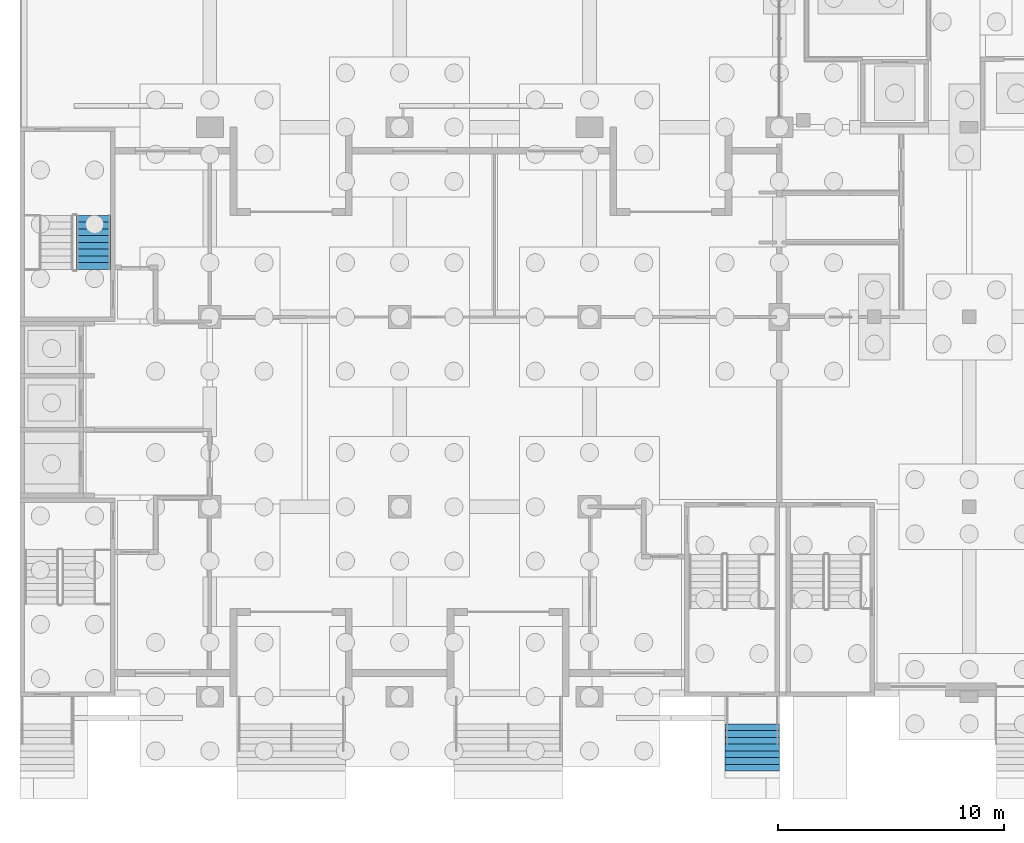
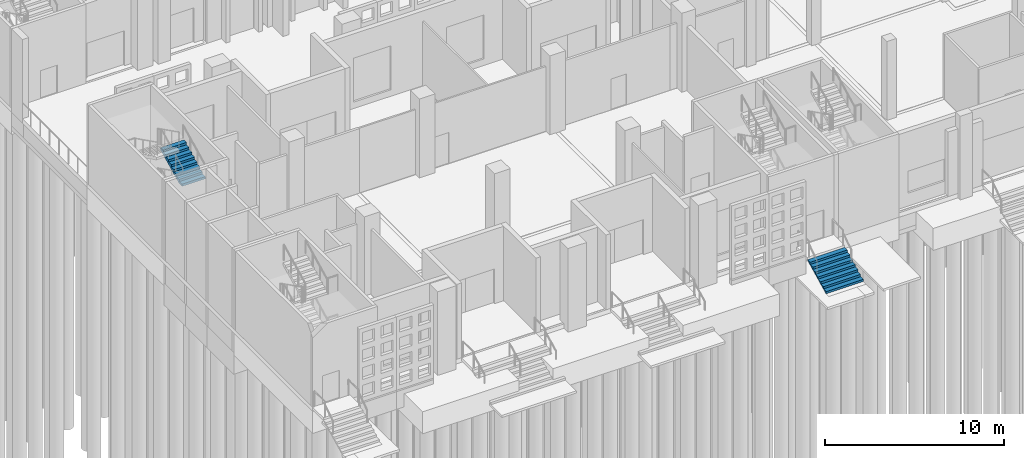
# One storey, part 66 of 129: 2 stair flights, 2 elements without a shape of their own.
"""IFC4 building model written with IfcOpenShell, lengths in metres."""

from ifc_helpers import new_model, si_unit, direction, frame, origin, place, context, subcontext, project, spatial, faceted_brep, material, type_object, element, aggregate, save


model = new_model("IFC4")

# Units and contexts
model_context = context("Model", 3, precision=1e-05, world=origin(), true_north=direction((0.0, 1.0)))
body_context = subcontext(model_context, "Body", "Model", "MODEL_VIEW")
ifc_project = project(units=[si_unit("LENGTHUNIT", "METRE"), si_unit("AREAUNIT", "SQUARE_METRE"), si_unit("VOLUMEUNIT", "CUBIC_METRE"), si_unit("PLANEANGLEUNIT", "RADIAN"), si_unit("MASSUNIT", "GRAM", prefix="KILO")], contexts=[model_context])

# Site, building, storey
site_placement = place(None, origin())
site = spatial("IfcSite", under=ifc_project, at=site_placement, CompositionType="ELEMENT")
building_placement = place(site_placement, origin())
building = spatial("IfcBuilding", under=site, at=building_placement, Name="Kiln Court Media Centre", CompositionType="ELEMENT")
storey_placement = place(building_placement, origin())
storey = spatial("IfcBuildingStorey", under=building, at=storey_placement, Name="L00", CompositionType="ELEMENT", Elevation=0.0)

# Stair, stair flight
ifc_material_1 = material(Name="Concrete C30/37", Category="concrete")
stair_type_1 = type_object("IfcStairType", Name="Concrete C30/37 porch steps ST-03 street porch", PredefinedType="STRAIGHT_RUN_STAIR", material=ifc_material_1)
stair_1_placement = place(storey_placement, origin())
stair_1 = element("IfcStair", 1, at=stair_1_placement, inside=storey, type_object=stair_type_1, Name="Concrete C30/37 porch steps ST-03 street porch", PredefinedType="STRAIGHT_RUN_STAIR")
ifc_material_2 = material(Name="Concrete C30/37", Category="concrete")
stair_flight_type_1 = type_object("IfcStairFlightType", Name="Concrete C30/37 porch steps ST-03 street porch flight", PredefinedType="STRAIGHT", material=ifc_material_2)
stair_flight_1_placement = place(storey_placement, frame((32.39990234375, -3.300048828125, -1.199951171875), z_axis=(0.0, 0.0, 1.0), x_axis=(0.0, 1.0, 0.0)))
stair_flight_1 = element("IfcStairFlight", 2, at=stair_flight_1_placement, type_object=stair_flight_type_1, Name="ST-E4 flight 1", NumberOfRisers=8, NumberOfTreads=7, PredefinedType="STRAIGHT", RiserHeight=0.15, TreadLength=0.3, context=body_context, shape_type="Brep", body=[
    faceted_brep([(0.044677734375, -1.199951171875, 0.0), (2.10009765625, -1.199951171875, 1.027587890625), (2.10009765625, -1.199951171875, 1.050048828125), (1.800048828125, -1.199951171875, 1.050048828125), (1.800048828125, -1.199951171875, 0.89990234375), (1.5, -1.199951171875, 0.89990234375), (1.5, -1.199951171875, 0.75), (1.199951171875, -1.199951171875, 0.75), (1.199951171875, -1.199951171875, 0.60009765625), (0.89990234375, -1.199951171875, 0.60009765625), (0.89990234375, -1.199951171875, 0.449951171875), (0.60009765625, -1.199951171875, 0.449951171875), (0.60009765625, -1.199951171875, 0.300048828125), (0.300048828125, -1.199951171875, 0.300048828125), (0.300048828125, -1.199951171875, 0.14990234375), (0.0, -1.199951171875, 0.14990234375), (0.0, -1.199951171875, 0.0), (0.0, 1.199951171875, 0.0), (0.0, 1.199951171875, 0.14990234375), (0.300048828125, 1.199951171875, 0.14990234375), (0.300048828125, 1.199951171875, 0.300048828125), (0.60009765625, 1.199951171875, 0.300048828125), (0.60009765625, 1.199951171875, 0.449951171875), (0.89990234375, 1.199951171875, 0.449951171875), (0.89990234375, 1.199951171875, 0.60009765625), (1.199951171875, 1.199951171875, 0.60009765625), (1.199951171875, 1.199951171875, 0.75), (1.5, 1.199951171875, 0.75), (1.5, 1.199951171875, 0.89990234375), (1.800048828125, 1.199951171875, 0.89990234375), (1.800048828125, 1.199951171875, 1.050048828125), (2.10009765625, 1.199951171875, 1.050048828125), (2.10009765625, 1.199951171875, 1.027587890625), (0.044677734375, 1.199951171875, 0.0), (2.10009765625, 0.10009765625, 1.027587890625), (0.044677734375, 0.10009765625, 0.0), (2.10009765625, 0.080078125, 1.027587890625), (0.044677734375, 0.080078125, 0.0), (2.10009765625, 0.06005859375, 1.027587890625), (0.044677734375, 0.06005859375, 0.0), (2.10009765625, 0.0400390625, 1.027587890625), (0.044677734375, 0.0400390625, 0.0), (2.10009765625, 0.02001953125, 1.027587890625), (0.044677734375, 0.02001953125, 0.0), (2.10009765625, 0.0, 1.027587890625), (0.044677734375, 0.0, 0.0), (2.10009765625, -0.02001953125, 1.027587890625), (0.044677734375, -0.02001953125, 0.0), (2.10009765625, -0.0400390625, 1.027587890625), (0.044677734375, -0.0400390625, 0.0), (2.10009765625, -0.06005859375, 1.027587890625), (0.044677734375, -0.06005859375, 0.0), (2.10009765625, -0.080078125, 1.027587890625), (0.044677734375, -0.080078125, 0.0), (2.10009765625, -0.10009765625, 1.027587890625), (0.044677734375, -0.10009765625, 0.0), (2.10009765625, 0.10009765625, 1.050048828125), (2.10009765625, 0.080078125, 1.050048828125), (2.10009765625, 0.06005859375, 1.050048828125), (2.10009765625, 0.0400390625, 1.050048828125), (2.10009765625, 0.02001953125, 1.050048828125), (2.10009765625, 0.0, 1.050048828125), (2.10009765625, -0.02001953125, 1.050048828125), (2.10009765625, -0.0400390625, 1.050048828125), (2.10009765625, -0.06005859375, 1.050048828125), (2.10009765625, -0.080078125, 1.050048828125), (2.10009765625, -0.10009765625, 1.050048828125), (1.800048828125, 0.10009765625, 1.050048828125), (1.800048828125, 0.080078125, 1.050048828125), (1.800048828125, 0.06005859375, 1.050048828125), (1.800048828125, 0.0400390625, 1.050048828125), (1.800048828125, 0.02001953125, 1.050048828125), (1.800048828125, 0.0, 1.050048828125), (1.800048828125, -0.02001953125, 1.050048828125), (1.800048828125, -0.0400390625, 1.050048828125), (1.800048828125, -0.06005859375, 1.050048828125), (1.800048828125, -0.080078125, 1.050048828125), (1.800048828125, -0.10009765625, 1.050048828125), (1.800048828125, 0.10009765625, 0.89990234375), (1.800048828125, 0.080078125, 0.89990234375), (1.800048828125, 0.06005859375, 0.89990234375), (1.800048828125, 0.0400390625, 0.89990234375), (1.800048828125, 0.02001953125, 0.89990234375), (1.800048828125, 0.0, 0.89990234375), (1.800048828125, -0.02001953125, 0.89990234375), (1.800048828125, -0.0400390625, 0.89990234375), (1.800048828125, -0.06005859375, 0.89990234375), (1.800048828125, -0.080078125, 0.89990234375), (1.800048828125, -0.10009765625, 0.89990234375), (1.5, 0.10009765625, 0.89990234375), (1.5, 0.080078125, 0.89990234375), (1.5, 0.06005859375, 0.89990234375), (1.5, 0.0400390625, 0.89990234375), (1.5, 0.02001953125, 0.89990234375), (1.5, 0.0, 0.89990234375), (1.5, -0.02001953125, 0.89990234375), (1.5, -0.0400390625, 0.89990234375), (1.5, -0.06005859375, 0.89990234375), (1.5, -0.080078125, 0.89990234375), (1.5, -0.10009765625, 0.89990234375), (1.5, 0.10009765625, 0.75), (1.5, 0.080078125, 0.75), (1.5, 0.06005859375, 0.75), (1.5, 0.0400390625, 0.75), (1.5, 0.02001953125, 0.75), (1.5, 0.0, 0.75), (1.5, -0.02001953125, 0.75), (1.5, -0.0400390625, 0.75), (1.5, -0.06005859375, 0.75), (1.5, -0.080078125, 0.75), (1.5, -0.10009765625, 0.75), (1.199951171875, 0.10009765625, 0.75), (1.199951171875, 0.080078125, 0.75), (1.199951171875, 0.06005859375, 0.75), (1.199951171875, 0.0400390625, 0.75), (1.199951171875, 0.02001953125, 0.75), (1.199951171875, 0.0, 0.75), (1.199951171875, -0.02001953125, 0.75), (1.199951171875, -0.0400390625, 0.75), (1.199951171875, -0.06005859375, 0.75), (1.199951171875, -0.080078125, 0.75), (1.199951171875, -0.10009765625, 0.75), (1.199951171875, 0.10009765625, 0.60009765625), (1.199951171875, 0.080078125, 0.60009765625), (1.199951171875, 0.06005859375, 0.60009765625), (1.199951171875, 0.0400390625, 0.60009765625), (1.199951171875, 0.02001953125, 0.60009765625), (1.199951171875, 0.0, 0.60009765625), (1.199951171875, -0.02001953125, 0.60009765625), (1.199951171875, -0.0400390625, 0.60009765625), (1.199951171875, -0.06005859375, 0.60009765625), (1.199951171875, -0.080078125, 0.60009765625), (1.199951171875, -0.10009765625, 0.60009765625), (0.89990234375, 0.10009765625, 0.60009765625), (0.89990234375, 0.080078125, 0.60009765625), (0.89990234375, 0.06005859375, 0.60009765625), (0.89990234375, 0.0400390625, 0.60009765625), (0.89990234375, 0.02001953125, 0.60009765625), (0.89990234375, 0.0, 0.60009765625), (0.89990234375, -0.02001953125, 0.60009765625), (0.89990234375, -0.0400390625, 0.60009765625), (0.89990234375, -0.06005859375, 0.60009765625), (0.89990234375, -0.080078125, 0.60009765625), (0.89990234375, -0.10009765625, 0.60009765625), (0.89990234375, 0.10009765625, 0.449951171875), (0.89990234375, 0.080078125, 0.449951171875), (0.89990234375, 0.06005859375, 0.449951171875), (0.89990234375, 0.0400390625, 0.449951171875), (0.89990234375, 0.02001953125, 0.449951171875), (0.89990234375, 0.0, 0.449951171875), (0.89990234375, -0.02001953125, 0.449951171875), (0.89990234375, -0.0400390625, 0.449951171875), (0.89990234375, -0.06005859375, 0.449951171875), (0.89990234375, -0.080078125, 0.449951171875), (0.89990234375, -0.10009765625, 0.449951171875), (0.60009765625, 0.10009765625, 0.449951171875), (0.60009765625, 0.080078125, 0.449951171875), (0.60009765625, 0.06005859375, 0.449951171875), (0.60009765625, 0.0400390625, 0.449951171875), (0.60009765625, 0.02001953125, 0.449951171875), (0.60009765625, 0.0, 0.449951171875), (0.60009765625, -0.02001953125, 0.449951171875), (0.60009765625, -0.0400390625, 0.449951171875), (0.60009765625, -0.06005859375, 0.449951171875), (0.60009765625, -0.080078125, 0.449951171875), (0.60009765625, -0.10009765625, 0.449951171875), (0.60009765625, 0.10009765625, 0.300048828125), (0.60009765625, 0.080078125, 0.300048828125), (0.60009765625, 0.06005859375, 0.300048828125), (0.60009765625, 0.0400390625, 0.300048828125), (0.60009765625, 0.02001953125, 0.300048828125), (0.60009765625, 0.0, 0.300048828125), (0.60009765625, -0.02001953125, 0.300048828125), (0.60009765625, -0.0400390625, 0.300048828125), (0.60009765625, -0.06005859375, 0.300048828125), (0.60009765625, -0.080078125, 0.300048828125), (0.60009765625, -0.10009765625, 0.300048828125), (0.300048828125, 0.10009765625, 0.300048828125), (0.300048828125, 0.080078125, 0.300048828125), (0.300048828125, 0.06005859375, 0.300048828125), (0.300048828125, 0.0400390625, 0.300048828125), (0.300048828125, 0.02001953125, 0.300048828125), (0.300048828125, 0.0, 0.300048828125), (0.300048828125, -0.02001953125, 0.300048828125), (0.300048828125, -0.0400390625, 0.300048828125), (0.300048828125, -0.06005859375, 0.300048828125), (0.300048828125, -0.080078125, 0.300048828125), (0.300048828125, -0.10009765625, 0.300048828125), (0.300048828125, 0.10009765625, 0.14990234375), (0.300048828125, 0.080078125, 0.14990234375), (0.300048828125, 0.06005859375, 0.14990234375), (0.300048828125, 0.0400390625, 0.14990234375), (0.300048828125, 0.02001953125, 0.14990234375), (0.300048828125, 0.0, 0.14990234375), (0.300048828125, -0.02001953125, 0.14990234375), (0.300048828125, -0.0400390625, 0.14990234375), (0.300048828125, -0.06005859375, 0.14990234375), (0.300048828125, -0.080078125, 0.14990234375), (0.300048828125, -0.10009765625, 0.14990234375), (0.0, 0.10009765625, 0.14990234375), (0.0, 0.080078125, 0.14990234375), (0.0, 0.06005859375, 0.14990234375), (0.0, 0.0400390625, 0.14990234375), (0.0, 0.02001953125, 0.14990234375), (0.0, 0.0, 0.14990234375), (0.0, -0.02001953125, 0.14990234375), (0.0, -0.0400390625, 0.14990234375), (0.0, -0.06005859375, 0.14990234375), (0.0, -0.080078125, 0.14990234375), (0.0, -0.10009765625, 0.14990234375), (0.0, 0.10009765625, 0.0), (0.0, 0.080078125, 0.0), (0.0, 0.06005859375, 0.0), (0.0, 0.0400390625, 0.0), (0.0, 0.02001953125, 0.0), (0.0, 0.0, 0.0), (0.0, -0.02001953125, 0.0), (0.0, -0.0400390625, 0.0), (0.0, -0.06005859375, 0.0), (0.0, -0.080078125, 0.0), (0.0, -0.10009765625, 0.0)], [[[0, 1, 2, 3, 4, 5, 6, 7, 8, 9, 10, 11, 12, 13, 14, 15, 16]], [[17, 18, 19, 20, 21, 22, 23, 24, 25, 26, 27, 28, 29, 30, 31, 32, 33]], [[33, 32, 34, 35]], [[35, 34, 36, 37]], [[37, 36, 38, 39]], [[39, 38, 40, 41]], [[41, 40, 42, 43]], [[43, 42, 44, 45]], [[45, 44, 46, 47]], [[47, 46, 48, 49]], [[49, 48, 50, 51]], [[51, 50, 52, 53]], [[53, 52, 54, 55]], [[55, 54, 1, 0]], [[32, 31, 56, 34]], [[34, 56, 57, 36]], [[36, 57, 58, 38]], [[38, 58, 59, 40]], [[40, 59, 60, 42]], [[42, 60, 61, 44]], [[44, 61, 62, 46]], [[46, 62, 63, 48]], [[48, 63, 64, 50]], [[50, 64, 65, 52]], [[52, 65, 66, 54]], [[54, 66, 2, 1]], [[31, 30, 67, 56]], [[56, 67, 68, 57]], [[57, 68, 69, 58]], [[58, 69, 70, 59]], [[59, 70, 71, 60]], [[60, 71, 72, 61]], [[61, 72, 73, 62]], [[62, 73, 74, 63]], [[63, 74, 75, 64]], [[64, 75, 76, 65]], [[65, 76, 77, 66]], [[66, 77, 3, 2]], [[30, 29, 78, 67]], [[67, 78, 79, 68]], [[68, 79, 80, 69]], [[69, 80, 81, 70]], [[70, 81, 82, 71]], [[71, 82, 83, 72]], [[72, 83, 84, 73]], [[73, 84, 85, 74]], [[74, 85, 86, 75]], [[75, 86, 87, 76]], [[76, 87, 88, 77]], [[77, 88, 4, 3]], [[29, 28, 89, 78]], [[78, 89, 90, 79]], [[79, 90, 91, 80]], [[80, 91, 92, 81]], [[81, 92, 93, 82]], [[82, 93, 94, 83]], [[83, 94, 95, 84]], [[84, 95, 96, 85]], [[85, 96, 97, 86]], [[86, 97, 98, 87]], [[87, 98, 99, 88]], [[88, 99, 5, 4]], [[28, 27, 100, 89]], [[89, 100, 101, 90]], [[90, 101, 102, 91]], [[91, 102, 103, 92]], [[92, 103, 104, 93]], [[93, 104, 105, 94]], [[94, 105, 106, 95]], [[95, 106, 107, 96]], [[96, 107, 108, 97]], [[97, 108, 109, 98]], [[98, 109, 110, 99]], [[99, 110, 6, 5]], [[27, 26, 111, 100]], [[100, 111, 112, 101]], [[101, 112, 113, 102]], [[102, 113, 114, 103]], [[103, 114, 115, 104]], [[104, 115, 116, 105]], [[105, 116, 117, 106]], [[106, 117, 118, 107]], [[107, 118, 119, 108]], [[108, 119, 120, 109]], [[109, 120, 121, 110]], [[110, 121, 7, 6]], [[26, 25, 122, 111]], [[111, 122, 123, 112]], [[112, 123, 124, 113]], [[113, 124, 125, 114]], [[114, 125, 126, 115]], [[115, 126, 127, 116]], [[116, 127, 128, 117]], [[117, 128, 129, 118]], [[118, 129, 130, 119]], [[119, 130, 131, 120]], [[120, 131, 132, 121]], [[121, 132, 8, 7]], [[25, 24, 133, 122]], [[122, 133, 134, 123]], [[123, 134, 135, 124]], [[124, 135, 136, 125]], [[125, 136, 137, 126]], [[126, 137, 138, 127]], [[127, 138, 139, 128]], [[128, 139, 140, 129]], [[129, 140, 141, 130]], [[130, 141, 142, 131]], [[131, 142, 143, 132]], [[132, 143, 9, 8]], [[24, 23, 144, 133]], [[133, 144, 145, 134]], [[134, 145, 146, 135]], [[135, 146, 147, 136]], [[136, 147, 148, 137]], [[137, 148, 149, 138]], [[138, 149, 150, 139]], [[139, 150, 151, 140]], [[140, 151, 152, 141]], [[141, 152, 153, 142]], [[142, 153, 154, 143]], [[143, 154, 10, 9]], [[23, 22, 155, 144]], [[144, 155, 156, 145]], [[145, 156, 157, 146]], [[146, 157, 158, 147]], [[147, 158, 159, 148]], [[148, 159, 160, 149]], [[149, 160, 161, 150]], [[150, 161, 162, 151]], [[151, 162, 163, 152]], [[152, 163, 164, 153]], [[153, 164, 165, 154]], [[154, 165, 11, 10]], [[22, 21, 166, 155]], [[155, 166, 167, 156]], [[156, 167, 168, 157]], [[157, 168, 169, 158]], [[158, 169, 170, 159]], [[159, 170, 171, 160]], [[160, 171, 172, 161]], [[161, 172, 173, 162]], [[162, 173, 174, 163]], [[163, 174, 175, 164]], [[164, 175, 176, 165]], [[165, 176, 12, 11]], [[21, 20, 177, 166]], [[166, 177, 178, 167]], [[167, 178, 179, 168]], [[168, 179, 180, 169]], [[169, 180, 181, 170]], [[170, 181, 182, 171]], [[171, 182, 183, 172]], [[172, 183, 184, 173]], [[173, 184, 185, 174]], [[174, 185, 186, 175]], [[175, 186, 187, 176]], [[176, 187, 13, 12]], [[20, 19, 188, 177]], [[177, 188, 189, 178]], [[178, 189, 190, 179]], [[179, 190, 191, 180]], [[180, 191, 192, 181]], [[181, 192, 193, 182]], [[182, 193, 194, 183]], [[183, 194, 195, 184]], [[184, 195, 196, 185]], [[185, 196, 197, 186]], [[186, 197, 198, 187]], [[187, 198, 14, 13]], [[19, 18, 199, 188]], [[188, 199, 200, 189]], [[189, 200, 201, 190]], [[190, 201, 202, 191]], [[191, 202, 203, 192]], [[192, 203, 204, 193]], [[193, 204, 205, 194]], [[194, 205, 206, 195]], [[195, 206, 207, 196]], [[196, 207, 208, 197]], [[197, 208, 209, 198]], [[198, 209, 15, 14]], [[18, 17, 210, 199]], [[199, 210, 211, 200]], [[200, 211, 212, 201]], [[201, 212, 213, 202]], [[202, 213, 214, 203]], [[203, 214, 215, 204]], [[204, 215, 216, 205]], [[205, 216, 217, 206]], [[206, 217, 218, 207]], [[207, 218, 219, 208]], [[208, 219, 220, 209]], [[209, 220, 16, 15]], [[17, 33, 35, 210]], [[210, 35, 37, 211]], [[211, 37, 39, 212]], [[212, 39, 41, 213]], [[213, 41, 43, 214]], [[214, 43, 45, 215]], [[215, 45, 47, 216]], [[216, 47, 49, 217]], [[217, 49, 51, 218]], [[218, 51, 53, 219]], [[219, 53, 55, 220]], [[220, 55, 0, 16]]]),
])
aggregate(stair_1, [stair_flight_1])

ifc_material_3 = material(Name="Concrete C40/50", Category="concrete")
stair_type_2 = type_object("IfcStairType", Name="Concrete C40/50 dog-leg stair 1500 wide, 150 riser", PredefinedType="HALF_TURN_STAIR", material=ifc_material_3)
stair_2_placement = place(storey_placement, origin())
stair_2 = element("IfcStair", 3, at=stair_2_placement, inside=storey, type_object=stair_type_2, Name="ST-02 L00", PredefinedType="HALF_TURN_STAIR")
ifc_material_4 = material(Name="Concrete C40/50", Category="concrete")
stair_flight_type_2 = type_object("IfcStairFlightType", Name="Concrete C40/50 stair flight 1500 wide, 150 riser, 300 going", PredefinedType="STRAIGHT", material=ifc_material_4)
stair_flight_2_placement = place(storey_placement, frame((3.25, 18.89990234375, 2.699951171875), z_axis=(0.0, 0.0, 1.0), x_axis=(0.0, 1.0, 0.0)))
stair_flight_2 = element("IfcStairFlight", 4, at=stair_flight_2_placement, type_object=stair_flight_type_2, Name="L00-ST-5001 flight 5006", NumberOfRisers=9, NumberOfTreads=8, PredefinedType="STRAIGHT", RiserHeight=0.15, TreadLength=0.3, context=body_context, shape_type="Brep", body=[
    faceted_brep([(0.335205078125, -0.75, 0.0), (2.39990234375, -0.75, 1.032470703125), (2.39990234375, -0.75, 1.199951171875), (2.10009765625, -0.75, 1.199951171875), (2.10009765625, -0.75, 1.050048828125), (1.800048828125, -0.75, 1.050048828125), (1.800048828125, -0.75, 0.89990234375), (1.5, -0.75, 0.89990234375), (1.5, -0.75, 0.75), (1.199951171875, -0.75, 0.75), (1.199951171875, -0.75, 0.60009765625), (0.89990234375, -0.75, 0.60009765625), (0.89990234375, -0.75, 0.449951171875), (0.60009765625, -0.75, 0.449951171875), (0.60009765625, -0.75, 0.300048828125), (0.300048828125, -0.75, 0.300048828125), (0.300048828125, -0.75, 0.14990234375), (0.0, -0.75, 0.14990234375), (0.0, -0.75, 0.0), (0.0, 0.75, 0.0), (0.0, 0.75, 0.14990234375), (0.300048828125, 0.75, 0.14990234375), (0.300048828125, 0.75, 0.300048828125), (0.60009765625, 0.75, 0.300048828125), (0.60009765625, 0.75, 0.449951171875), (0.89990234375, 0.75, 0.449951171875), (0.89990234375, 0.75, 0.60009765625), (1.199951171875, 0.75, 0.60009765625), (1.199951171875, 0.75, 0.75), (1.5, 0.75, 0.75), (1.5, 0.75, 0.89990234375), (1.800048828125, 0.75, 0.89990234375), (1.800048828125, 0.75, 1.050048828125), (2.10009765625, 0.75, 1.050048828125), (2.10009765625, 0.75, 1.199951171875), (2.39990234375, 0.75, 1.199951171875), (2.39990234375, 0.75, 1.032470703125), (0.335205078125, 0.75, 0.0), (2.39990234375, 0.10009765625, 1.032470703125), (0.335205078125, 0.10009765625, 0.0), (2.39990234375, 0.080078125, 1.032470703125), (0.335205078125, 0.080078125, 0.0), (2.39990234375, 0.06005859375, 1.032470703125), (0.335205078125, 0.06005859375, 0.0), (2.39990234375, 0.0400390625, 1.032470703125), (0.335205078125, 0.0400390625, 0.0), (2.39990234375, 0.02001953125, 1.032470703125), (0.335205078125, 0.02001953125, 0.0), (2.39990234375, 0.0, 1.032470703125), (0.335205078125, 0.0, 0.0), (2.39990234375, -0.02001953125, 1.032470703125), (0.335205078125, -0.02001953125, 0.0), (2.39990234375, -0.0400390625, 1.032470703125), (0.335205078125, -0.0400390625, 0.0), (2.39990234375, -0.06005859375, 1.032470703125), (0.335205078125, -0.06005859375, 0.0), (2.39990234375, -0.080078125, 1.032470703125), (0.335205078125, -0.080078125, 0.0), (2.39990234375, -0.10009765625, 1.032470703125), (0.335205078125, -0.10009765625, 0.0), (2.39990234375, 0.10009765625, 1.199951171875), (2.39990234375, 0.080078125, 1.199951171875), (2.39990234375, 0.06005859375, 1.199951171875), (2.39990234375, 0.0400390625, 1.199951171875), (2.39990234375, 0.02001953125, 1.199951171875), (2.39990234375, 0.0, 1.199951171875), (2.39990234375, -0.02001953125, 1.199951171875), (2.39990234375, -0.0400390625, 1.199951171875), (2.39990234375, -0.06005859375, 1.199951171875), (2.39990234375, -0.080078125, 1.199951171875), (2.39990234375, -0.10009765625, 1.199951171875), (2.10009765625, 0.10009765625, 1.199951171875), (2.10009765625, 0.080078125, 1.199951171875), (2.10009765625, 0.06005859375, 1.199951171875), (2.10009765625, 0.0400390625, 1.199951171875), (2.10009765625, 0.02001953125, 1.199951171875), (2.10009765625, 0.0, 1.199951171875), (2.10009765625, -0.02001953125, 1.199951171875), (2.10009765625, -0.0400390625, 1.199951171875), (2.10009765625, -0.06005859375, 1.199951171875), (2.10009765625, -0.080078125, 1.199951171875), (2.10009765625, -0.10009765625, 1.199951171875), (2.10009765625, 0.10009765625, 1.050048828125), (2.10009765625, 0.080078125, 1.050048828125), (2.10009765625, 0.06005859375, 1.050048828125), (2.10009765625, 0.0400390625, 1.050048828125), (2.10009765625, 0.02001953125, 1.050048828125), (2.10009765625, 0.0, 1.050048828125), (2.10009765625, -0.02001953125, 1.050048828125), (2.10009765625, -0.0400390625, 1.050048828125), (2.10009765625, -0.06005859375, 1.050048828125), (2.10009765625, -0.080078125, 1.050048828125), (2.10009765625, -0.10009765625, 1.050048828125), (1.800048828125, 0.10009765625, 1.050048828125), (1.800048828125, 0.080078125, 1.050048828125), (1.800048828125, 0.06005859375, 1.050048828125), (1.800048828125, 0.0400390625, 1.050048828125), (1.800048828125, 0.02001953125, 1.050048828125), (1.800048828125, 0.0, 1.050048828125), (1.800048828125, -0.02001953125, 1.050048828125), (1.800048828125, -0.0400390625, 1.050048828125), (1.800048828125, -0.06005859375, 1.050048828125), (1.800048828125, -0.080078125, 1.050048828125), (1.800048828125, -0.10009765625, 1.050048828125), (1.800048828125, 0.10009765625, 0.89990234375), (1.800048828125, 0.080078125, 0.89990234375), (1.800048828125, 0.06005859375, 0.89990234375), (1.800048828125, 0.0400390625, 0.89990234375), (1.800048828125, 0.02001953125, 0.89990234375), (1.800048828125, 0.0, 0.89990234375), (1.800048828125, -0.02001953125, 0.89990234375), (1.800048828125, -0.0400390625, 0.89990234375), (1.800048828125, -0.06005859375, 0.89990234375), (1.800048828125, -0.080078125, 0.89990234375), (1.800048828125, -0.10009765625, 0.89990234375), (1.5, 0.10009765625, 0.89990234375), (1.5, 0.080078125, 0.89990234375), (1.5, 0.06005859375, 0.89990234375), (1.5, 0.0400390625, 0.89990234375), (1.5, 0.02001953125, 0.89990234375), (1.5, 0.0, 0.89990234375), (1.5, -0.02001953125, 0.89990234375), (1.5, -0.0400390625, 0.89990234375), (1.5, -0.06005859375, 0.89990234375), (1.5, -0.080078125, 0.89990234375), (1.5, -0.10009765625, 0.89990234375), (1.5, 0.10009765625, 0.75), (1.5, 0.080078125, 0.75), (1.5, 0.06005859375, 0.75), (1.5, 0.0400390625, 0.75), (1.5, 0.02001953125, 0.75), (1.5, 0.0, 0.75), (1.5, -0.02001953125, 0.75), (1.5, -0.0400390625, 0.75), (1.5, -0.06005859375, 0.75), (1.5, -0.080078125, 0.75), (1.5, -0.10009765625, 0.75), (1.199951171875, 0.10009765625, 0.75), (1.199951171875, 0.080078125, 0.75), (1.199951171875, 0.06005859375, 0.75), (1.199951171875, 0.0400390625, 0.75), (1.199951171875, 0.02001953125, 0.75), (1.199951171875, 0.0, 0.75), (1.199951171875, -0.02001953125, 0.75), (1.199951171875, -0.0400390625, 0.75), (1.199951171875, -0.06005859375, 0.75), (1.199951171875, -0.080078125, 0.75), (1.199951171875, -0.10009765625, 0.75), (1.199951171875, 0.10009765625, 0.60009765625), (1.199951171875, 0.080078125, 0.60009765625), (1.199951171875, 0.06005859375, 0.60009765625), (1.199951171875, 0.0400390625, 0.60009765625), (1.199951171875, 0.02001953125, 0.60009765625), (1.199951171875, 0.0, 0.60009765625), (1.199951171875, -0.02001953125, 0.60009765625), (1.199951171875, -0.0400390625, 0.60009765625), (1.199951171875, -0.06005859375, 0.60009765625), (1.199951171875, -0.080078125, 0.60009765625), (1.199951171875, -0.10009765625, 0.60009765625), (0.89990234375, 0.10009765625, 0.60009765625), (0.89990234375, 0.080078125, 0.60009765625), (0.89990234375, 0.06005859375, 0.60009765625), (0.89990234375, 0.0400390625, 0.60009765625), (0.89990234375, 0.02001953125, 0.60009765625), (0.89990234375, 0.0, 0.60009765625), (0.89990234375, -0.02001953125, 0.60009765625), (0.89990234375, -0.0400390625, 0.60009765625), (0.89990234375, -0.06005859375, 0.60009765625), (0.89990234375, -0.080078125, 0.60009765625), (0.89990234375, -0.10009765625, 0.60009765625), (0.89990234375, 0.10009765625, 0.449951171875), (0.89990234375, 0.080078125, 0.449951171875), (0.89990234375, 0.06005859375, 0.449951171875), (0.89990234375, 0.0400390625, 0.449951171875), (0.89990234375, 0.02001953125, 0.449951171875), (0.89990234375, 0.0, 0.449951171875), (0.89990234375, -0.02001953125, 0.449951171875), (0.89990234375, -0.0400390625, 0.449951171875), (0.89990234375, -0.06005859375, 0.449951171875), (0.89990234375, -0.080078125, 0.449951171875), (0.89990234375, -0.10009765625, 0.449951171875), (0.60009765625, 0.10009765625, 0.449951171875), (0.60009765625, 0.080078125, 0.449951171875), (0.60009765625, 0.06005859375, 0.449951171875), (0.60009765625, 0.0400390625, 0.449951171875), (0.60009765625, 0.02001953125, 0.449951171875), (0.60009765625, 0.0, 0.449951171875), (0.60009765625, -0.02001953125, 0.449951171875), (0.60009765625, -0.0400390625, 0.449951171875), (0.60009765625, -0.06005859375, 0.449951171875), (0.60009765625, -0.080078125, 0.449951171875), (0.60009765625, -0.10009765625, 0.449951171875), (0.60009765625, 0.10009765625, 0.300048828125), (0.60009765625, 0.080078125, 0.300048828125), (0.60009765625, 0.06005859375, 0.300048828125), (0.60009765625, 0.0400390625, 0.300048828125), (0.60009765625, 0.02001953125, 0.300048828125), (0.60009765625, 0.0, 0.300048828125), (0.60009765625, -0.02001953125, 0.300048828125), (0.60009765625, -0.0400390625, 0.300048828125), (0.60009765625, -0.06005859375, 0.300048828125), (0.60009765625, -0.080078125, 0.300048828125), (0.60009765625, -0.10009765625, 0.300048828125), (0.300048828125, 0.10009765625, 0.300048828125), (0.300048828125, 0.080078125, 0.300048828125), (0.300048828125, 0.06005859375, 0.300048828125), (0.300048828125, 0.0400390625, 0.300048828125), (0.300048828125, 0.02001953125, 0.300048828125), (0.300048828125, 0.0, 0.300048828125), (0.300048828125, -0.02001953125, 0.300048828125), (0.300048828125, -0.0400390625, 0.300048828125), (0.300048828125, -0.06005859375, 0.300048828125), (0.300048828125, -0.080078125, 0.300048828125), (0.300048828125, -0.10009765625, 0.300048828125), (0.300048828125, 0.10009765625, 0.14990234375), (0.300048828125, 0.080078125, 0.14990234375), (0.300048828125, 0.06005859375, 0.14990234375), (0.300048828125, 0.0400390625, 0.14990234375), (0.300048828125, 0.02001953125, 0.14990234375), (0.300048828125, 0.0, 0.14990234375), (0.300048828125, -0.02001953125, 0.14990234375), (0.300048828125, -0.0400390625, 0.14990234375), (0.300048828125, -0.06005859375, 0.14990234375), (0.300048828125, -0.080078125, 0.14990234375), (0.300048828125, -0.10009765625, 0.14990234375), (0.0, 0.10009765625, 0.14990234375), (0.0, 0.080078125, 0.14990234375), (0.0, 0.06005859375, 0.14990234375), (0.0, 0.0400390625, 0.14990234375), (0.0, 0.02001953125, 0.14990234375), (0.0, 0.0, 0.14990234375), (0.0, -0.02001953125, 0.14990234375), (0.0, -0.0400390625, 0.14990234375), (0.0, -0.06005859375, 0.14990234375), (0.0, -0.080078125, 0.14990234375), (0.0, -0.10009765625, 0.14990234375), (0.0, 0.10009765625, 0.0), (0.0, 0.080078125, 0.0), (0.0, 0.06005859375, 0.0), (0.0, 0.0400390625, 0.0), (0.0, 0.02001953125, 0.0), (0.0, 0.0, 0.0), (0.0, -0.02001953125, 0.0), (0.0, -0.0400390625, 0.0), (0.0, -0.06005859375, 0.0), (0.0, -0.080078125, 0.0), (0.0, -0.10009765625, 0.0)], [[[0, 1, 2, 3, 4, 5, 6, 7, 8, 9, 10, 11, 12, 13, 14, 15, 16, 17, 18]], [[19, 20, 21, 22, 23, 24, 25, 26, 27, 28, 29, 30, 31, 32, 33, 34, 35, 36, 37]], [[37, 36, 38, 39]], [[39, 38, 40, 41]], [[41, 40, 42, 43]], [[43, 42, 44, 45]], [[45, 44, 46, 47]], [[47, 46, 48, 49]], [[49, 48, 50, 51]], [[51, 50, 52, 53]], [[53, 52, 54, 55]], [[55, 54, 56, 57]], [[57, 56, 58, 59]], [[59, 58, 1, 0]], [[36, 35, 60, 38]], [[38, 60, 61, 40]], [[40, 61, 62, 42]], [[42, 62, 63, 44]], [[44, 63, 64, 46]], [[46, 64, 65, 48]], [[48, 65, 66, 50]], [[50, 66, 67, 52]], [[52, 67, 68, 54]], [[54, 68, 69, 56]], [[56, 69, 70, 58]], [[58, 70, 2, 1]], [[35, 34, 71, 60]], [[60, 71, 72, 61]], [[61, 72, 73, 62]], [[62, 73, 74, 63]], [[63, 74, 75, 64]], [[64, 75, 76, 65]], [[65, 76, 77, 66]], [[66, 77, 78, 67]], [[67, 78, 79, 68]], [[68, 79, 80, 69]], [[69, 80, 81, 70]], [[70, 81, 3, 2]], [[34, 33, 82, 71]], [[71, 82, 83, 72]], [[72, 83, 84, 73]], [[73, 84, 85, 74]], [[74, 85, 86, 75]], [[75, 86, 87, 76]], [[76, 87, 88, 77]], [[77, 88, 89, 78]], [[78, 89, 90, 79]], [[79, 90, 91, 80]], [[80, 91, 92, 81]], [[81, 92, 4, 3]], [[33, 32, 93, 82]], [[82, 93, 94, 83]], [[83, 94, 95, 84]], [[84, 95, 96, 85]], [[85, 96, 97, 86]], [[86, 97, 98, 87]], [[87, 98, 99, 88]], [[88, 99, 100, 89]], [[89, 100, 101, 90]], [[90, 101, 102, 91]], [[91, 102, 103, 92]], [[92, 103, 5, 4]], [[32, 31, 104, 93]], [[93, 104, 105, 94]], [[94, 105, 106, 95]], [[95, 106, 107, 96]], [[96, 107, 108, 97]], [[97, 108, 109, 98]], [[98, 109, 110, 99]], [[99, 110, 111, 100]], [[100, 111, 112, 101]], [[101, 112, 113, 102]], [[102, 113, 114, 103]], [[103, 114, 6, 5]], [[31, 30, 115, 104]], [[104, 115, 116, 105]], [[105, 116, 117, 106]], [[106, 117, 118, 107]], [[107, 118, 119, 108]], [[108, 119, 120, 109]], [[109, 120, 121, 110]], [[110, 121, 122, 111]], [[111, 122, 123, 112]], [[112, 123, 124, 113]], [[113, 124, 125, 114]], [[114, 125, 7, 6]], [[30, 29, 126, 115]], [[115, 126, 127, 116]], [[116, 127, 128, 117]], [[117, 128, 129, 118]], [[118, 129, 130, 119]], [[119, 130, 131, 120]], [[120, 131, 132, 121]], [[121, 132, 133, 122]], [[122, 133, 134, 123]], [[123, 134, 135, 124]], [[124, 135, 136, 125]], [[125, 136, 8, 7]], [[29, 28, 137, 126]], [[126, 137, 138, 127]], [[127, 138, 139, 128]], [[128, 139, 140, 129]], [[129, 140, 141, 130]], [[130, 141, 142, 131]], [[131, 142, 143, 132]], [[132, 143, 144, 133]], [[133, 144, 145, 134]], [[134, 145, 146, 135]], [[135, 146, 147, 136]], [[136, 147, 9, 8]], [[28, 27, 148, 137]], [[137, 148, 149, 138]], [[138, 149, 150, 139]], [[139, 150, 151, 140]], [[140, 151, 152, 141]], [[141, 152, 153, 142]], [[142, 153, 154, 143]], [[143, 154, 155, 144]], [[144, 155, 156, 145]], [[145, 156, 157, 146]], [[146, 157, 158, 147]], [[147, 158, 10, 9]], [[27, 26, 159, 148]], [[148, 159, 160, 149]], [[149, 160, 161, 150]], [[150, 161, 162, 151]], [[151, 162, 163, 152]], [[152, 163, 164, 153]], [[153, 164, 165, 154]], [[154, 165, 166, 155]], [[155, 166, 167, 156]], [[156, 167, 168, 157]], [[157, 168, 169, 158]], [[158, 169, 11, 10]], [[26, 25, 170, 159]], [[159, 170, 171, 160]], [[160, 171, 172, 161]], [[161, 172, 173, 162]], [[162, 173, 174, 163]], [[163, 174, 175, 164]], [[164, 175, 176, 165]], [[165, 176, 177, 166]], [[166, 177, 178, 167]], [[167, 178, 179, 168]], [[168, 179, 180, 169]], [[169, 180, 12, 11]], [[25, 24, 181, 170]], [[170, 181, 182, 171]], [[171, 182, 183, 172]], [[172, 183, 184, 173]], [[173, 184, 185, 174]], [[174, 185, 186, 175]], [[175, 186, 187, 176]], [[176, 187, 188, 177]], [[177, 188, 189, 178]], [[178, 189, 190, 179]], [[179, 190, 191, 180]], [[180, 191, 13, 12]], [[24, 23, 192, 181]], [[181, 192, 193, 182]], [[182, 193, 194, 183]], [[183, 194, 195, 184]], [[184, 195, 196, 185]], [[185, 196, 197, 186]], [[186, 197, 198, 187]], [[187, 198, 199, 188]], [[188, 199, 200, 189]], [[189, 200, 201, 190]], [[190, 201, 202, 191]], [[191, 202, 14, 13]], [[23, 22, 203, 192]], [[192, 203, 204, 193]], [[193, 204, 205, 194]], [[194, 205, 206, 195]], [[195, 206, 207, 196]], [[196, 207, 208, 197]], [[197, 208, 209, 198]], [[198, 209, 210, 199]], [[199, 210, 211, 200]], [[200, 211, 212, 201]], [[201, 212, 213, 202]], [[202, 213, 15, 14]], [[22, 21, 214, 203]], [[203, 214, 215, 204]], [[204, 215, 216, 205]], [[205, 216, 217, 206]], [[206, 217, 218, 207]], [[207, 218, 219, 208]], [[208, 219, 220, 209]], [[209, 220, 221, 210]], [[210, 221, 222, 211]], [[211, 222, 223, 212]], [[212, 223, 224, 213]], [[213, 224, 16, 15]], [[21, 20, 225, 214]], [[214, 225, 226, 215]], [[215, 226, 227, 216]], [[216, 227, 228, 217]], [[217, 228, 229, 218]], [[218, 229, 230, 219]], [[219, 230, 231, 220]], [[220, 231, 232, 221]], [[221, 232, 233, 222]], [[222, 233, 234, 223]], [[223, 234, 235, 224]], [[224, 235, 17, 16]], [[20, 19, 236, 225]], [[225, 236, 237, 226]], [[226, 237, 238, 227]], [[227, 238, 239, 228]], [[228, 239, 240, 229]], [[229, 240, 241, 230]], [[230, 241, 242, 231]], [[231, 242, 243, 232]], [[232, 243, 244, 233]], [[233, 244, 245, 234]], [[234, 245, 246, 235]], [[235, 246, 18, 17]], [[19, 37, 39, 236]], [[236, 39, 41, 237]], [[237, 41, 43, 238]], [[238, 43, 45, 239]], [[239, 45, 47, 240]], [[240, 47, 49, 241]], [[241, 49, 51, 242]], [[242, 51, 53, 243]], [[243, 53, 55, 244]], [[244, 55, 57, 245]], [[245, 57, 59, 246]], [[246, 59, 0, 18]]]),
])
aggregate(stair_2, [stair_flight_2])

save(model, "model.ifc")
